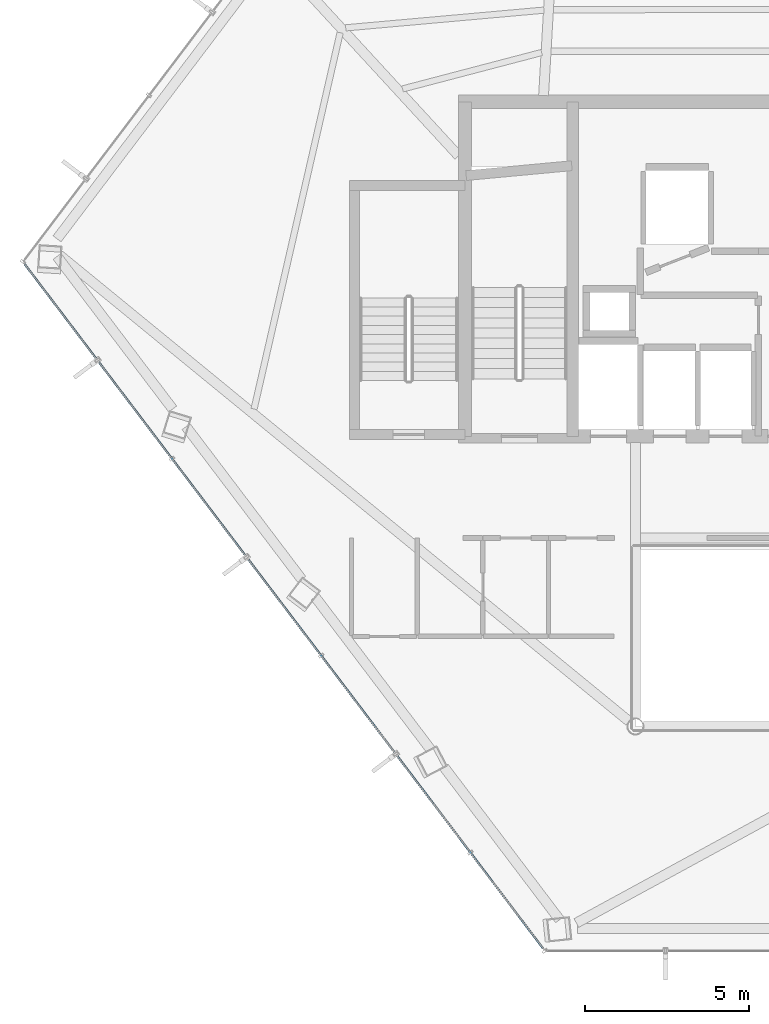
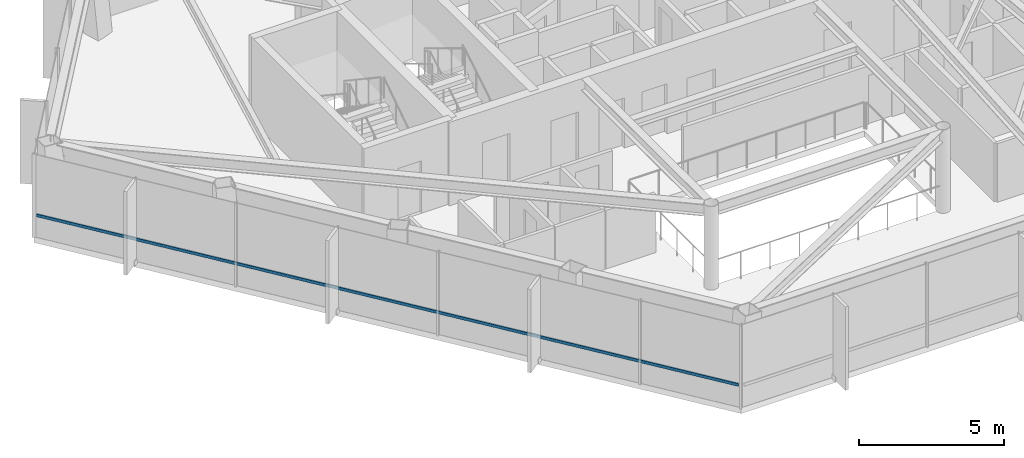
# One storey, part 3 of 27: 1 member, 1 element without a shape of its own.
"""IFC4 building model written with IfcOpenShell, lengths in metres."""

from ifc_helpers import new_model, si_unit, direction, frame, origin, origin_2d, place, context, subcontext, project, spatial, hollow_rectangle, extrude, material, layer, layer_set, material_profile, profile_set, type_object, element, aggregate, save


model = new_model("IFC4")

# Units and contexts
model_context = context("Model", 3, precision=1e-05, world=origin(), true_north=direction((0.0, 1.0)))
body_context = subcontext(model_context, "Body", "Model", "MODEL_VIEW")
ifc_project = project(units=[si_unit("LENGTHUNIT", "METRE"), si_unit("AREAUNIT", "SQUARE_METRE"), si_unit("VOLUMEUNIT", "CUBIC_METRE"), si_unit("PLANEANGLEUNIT", "RADIAN"), si_unit("MASSUNIT", "GRAM", prefix="KILO")], contexts=[model_context])

# Site, building, storey
site_placement = place(None, origin())
site = spatial("IfcSite", under=ifc_project, at=site_placement, CompositionType="ELEMENT")
building_placement = place(site_placement, origin())
building = spatial("IfcBuilding", under=site, at=building_placement, Name="Zarrinselat Tower", CompositionType="ELEMENT")
storey_placement = place(building_placement, frame((0.0, 0.0, 183.260009765625)))
storey = spatial("IfcBuildingStorey", under=building, at=storey_placement, Name="L45", CompositionType="ELEMENT", Elevation=183.260009765625)

# Curtain wall, member
ifc_material_1 = material(Name="Extruded Aluminium Alloy EN AW-6063 T6", Category="aluminium")
ifc_layer = layer(ifc_material_1, 0.175048828125)
ifc_layer_set = layer_set([ifc_layer], Name="Extruded Aluminium Alloy EN AW-6063 T6")
curtain_wall_type = type_object("IfcCurtainWallType", Name="CWS-HTL", PredefinedType="NOTDEFINED", material=ifc_layer_set)
curtain_wall_placement = place(storey_placement, origin())
curtain_wall = element("IfcCurtainWall", 1, at=curtain_wall_placement, inside=storey, type_object=curtain_wall_type, Name="L45 Unitised Curtain Wall CW-L45-E03", PredefinedType="NOTDEFINED")
ifc_material_2 = material(Name="Extruded Aluminium Alloy EN AW-6063 T6", Category="aluminium")
ifc_material_profile = material_profile(ifc_material_2, hollow_rectangle(XDim=0.06005859375, YDim=0.1201171875, WallThickness=0.00390625, at=origin_2d()), Name="RHS 120x60x4")
ifc_profile_set = profile_set([ifc_material_profile], Name="Extruded Aluminium Alloy EN AW-6063 T6")
member_type = type_object("IfcMemberType", Name="MEM-CW-TRN2", PredefinedType="USERDEFINED", material=ifc_profile_set)
member_placement = place(storey_placement, frame((15.17431640625, 38.5, 0.949951171875), z_axis=(0.603859482997, -0.797090788301, 0.0), x_axis=(0.797090788301, 0.603859482997, 0.0)))
member = element("IfcMember", 2, at=member_placement, type_object=member_type, Name="CW-L45-E03 Transom 1", ObjectType="TRANSOM", PredefinedType="USERDEFINED", context=body_context, shape_type="SweptSolid", body=[
    extrude(hollow_rectangle(XDim=0.06005859375, YDim=0.1201171875, WallThickness=0.00390625, at=origin_2d()), origin(), (0.0, 0.0, 1.0), 26.1865234375),
])
aggregate(curtain_wall, [member])

save(model, "model.ifc")
